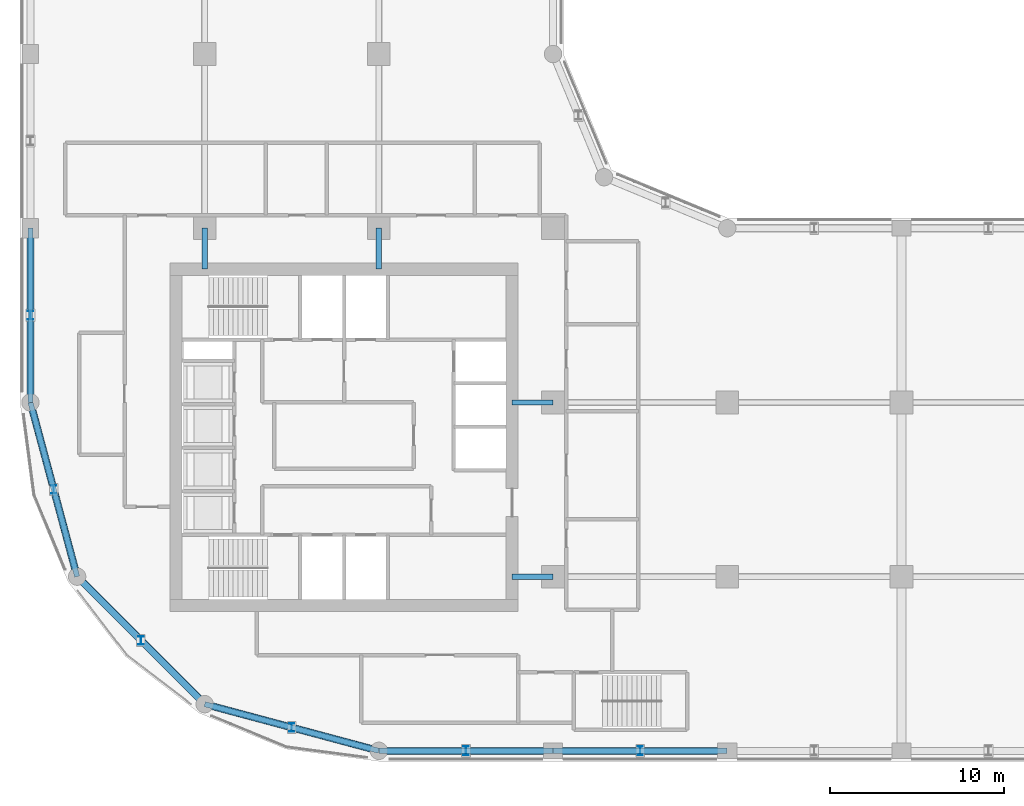
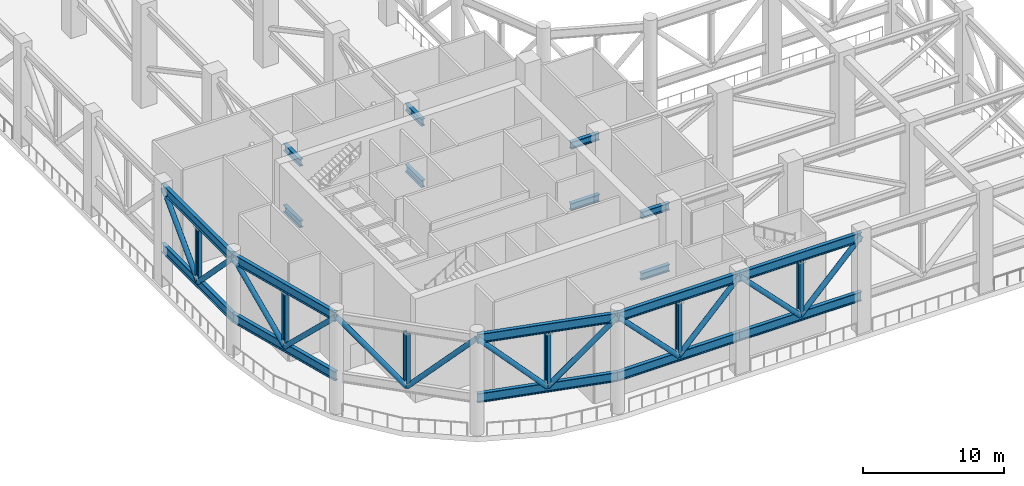
# One storey, part 2 of 13: 36 members.
"""IFC4 building model written with IfcOpenShell, lengths in metres."""

from ifc_helpers import new_model, si_unit, direction, frame, origin, origin_2d, place, context, subcontext, project, spatial, hollow_circle, i_section, extrude, material, material_profile, profile_set, type_object, element, save


model = new_model("IFC4")

# Units and contexts
model_context = context("Model", 3, precision=1e-05, world=origin(), true_north=direction((0.0, 1.0)))
body_context = subcontext(model_context, "Body", "Model", "MODEL_VIEW")
ifc_project = project(units=[si_unit("LENGTHUNIT", "METRE"), si_unit("AREAUNIT", "SQUARE_METRE"), si_unit("VOLUMEUNIT", "CUBIC_METRE"), si_unit("PLANEANGLEUNIT", "RADIAN"), si_unit("MASSUNIT", "GRAM", prefix="KILO")], contexts=[model_context])

# Site, building, storey
site_placement = place(None, origin())
site = spatial("IfcSite", under=ifc_project, at=site_placement, CompositionType="ELEMENT")
building_placement = place(site_placement, origin())
building = spatial("IfcBuilding", under=site, at=building_placement, Name="Qaws Garden Tower", CompositionType="ELEMENT")
storey_placement = place(building_placement, frame((0.0, 0.0, 237.0)))
storey = spatial("IfcBuildingStorey", under=building, at=storey_placement, Name="L58", CompositionType="ELEMENT", Elevation=237.0)

# Members
ifc_material_1 = material(Name="Steel S355", Category="steel")
ifc_material_profile_1 = material_profile(ifc_material_1, i_section(OverallWidth=0.300048828125, OverallDepth=0.800048828125, WebThickness=0.017578125, FlangeThickness=0.032958984375, FilletRadius=0.030029296875, at=origin_2d()), Name="HEB 800")
ifc_profile_set_1 = profile_set([ifc_material_profile_1], Name="Steel S355")
member_type_1 = type_object("IfcMemberType", Name="Belt chord HEB 800", PredefinedType="CHORD", material=ifc_profile_set_1)
for number, where, z_axis, x_axis, name in (
    (1, (20.0, 0.0, 8.14990234375), (1.0, 0.0, 0.0), (0.0, 1.0, 0.0), "Belt truss top chord 1"),
    (2, (20.0, 0.0, 3.0), (1.0, 0.0, 0.0), (0.0, 1.0, 0.0), "Belt truss bottom chord 1"),
    (3, (30.0, 0.0, 8.14990234375), (1.0, 0.0, 0.0), (0.0, 1.0, 0.0), "Belt truss top chord 2"),
    (4, (30.0, 0.0, 3.0), (1.0, 0.0, 0.0), (0.0, 1.0, 0.0), "Belt truss bottom chord 2"),
    (5, (0.0, 30.0, 8.14990234375), (0.0, -1.0, 0.0), (1.0, 0.0, 0.0), "Belt truss top chord 21"),
    (6, (0.0, 30.0, 3.0), (0.0, -1.0, 0.0), (1.0, 0.0, 0.0), "Belt truss bottom chord 21"),
):
    element("IfcMember", number, at=place(storey_placement, frame(where, z_axis=z_axis, x_axis=x_axis)), inside=storey, type_object=member_type_1, Name=name, PredefinedType="CHORD", context=body_context, shape_type="SweptSolid", body=[
        extrude(i_section(OverallWidth=0.300048828125, OverallDepth=0.800048828125, WebThickness=0.017578125, FlangeThickness=0.032958984375, FilletRadius=0.030029296875, at=origin_2d()), origin(), (0.0, 0.0, 1.0), 10.0),
    ])
for number, where, z_axis, x_axis, name in (
    (7, (0.0, 20.0, 8.14990234375), (0.25881466832, -0.965926999034, 0.0), (0.965926999034, 0.25881466832, 0.0), "Belt truss top chord 22"),
    (8, (0.0, 20.0, 3.0), (0.25881466832, -0.965926999034, 0.0), (0.965926999034, 0.25881466832, 0.0), "Belt truss bottom chord 22"),
    (9, (10.0, 2.679443359375, 8.14990234375), (0.965926999034, -0.25881466832, 0.0), (0.25881466832, 0.965926999034, 0.0), "Belt truss top chord 24"),
    (10, (10.0, 2.679443359375, 3.0), (0.965926999034, -0.25881466832, 0.0), (0.25881466832, 0.965926999034, 0.0), "Belt truss bottom chord 24"),
):
    element("IfcMember", number, at=place(storey_placement, frame(where, z_axis=z_axis, x_axis=x_axis)), inside=storey, type_object=member_type_1, Name=name, PredefinedType="CHORD", context=body_context, shape_type="SweptSolid", body=[
        extrude(i_section(OverallWidth=0.300048828125, OverallDepth=0.800048828125, WebThickness=0.017578125, FlangeThickness=0.032958984375, FilletRadius=0.030029296875, at=origin_2d()), origin(), (0.0, 0.0, 1.0), 10.352783203125),
    ])
ifc_material_2 = material(Name="Steel S355", Category="steel")
ifc_material_profile_2 = material_profile(ifc_material_2, hollow_circle(Radius=0.203125, WallThickness=0.02001953125, at=origin_2d()), Name="CHS 406.4x20")
ifc_profile_set_2 = profile_set([ifc_material_profile_2], Name="Steel S355")
member_type_2 = type_object("IfcMemberType", Name="Belt diagonal CHS 406.4x20", PredefinedType="BRACE", material=ifc_profile_set_2)
for number, where, z_axis, x_axis, name in (
    (11, (20.0, 0.0, 8.14990234375), (0.696587664797, 0.0, -0.717471689513), (0.0, 1.0, 0.0), "Belt truss diagonal 1a"),
    (12, (25.0, 0.0, 3.0), (0.696587664797, 0.0, 0.717471689513), (0.0, 1.0, 0.0), "Belt truss diagonal 1b"),
    (13, (30.0, 0.0, 8.14990234375), (0.696587664797, 0.0, -0.717471689513), (0.0, 1.0, 0.0), "Belt truss diagonal 2a"),
    (14, (35.0, 0.0, 3.0), (0.696587664797, 0.0, 0.717471689513), (0.0, 1.0, 0.0), "Belt truss diagonal 2b"),
    (15, (0.0, 30.0, 8.14990234375), (0.0, -0.696587664797, -0.717471689513), (1.0, 0.0, 0.0), "Belt truss diagonal 21a"),
    (16, (0.0, 25.0, 3.0), (0.0, -0.696587664797, 0.717471689513), (1.0, 0.0, 0.0), "Belt truss diagonal 21b"),
):
    element("IfcMember", number, at=place(storey_placement, frame(where, z_axis=z_axis, x_axis=x_axis)), inside=storey, type_object=member_type_2, Name=name, PredefinedType="BRACE", context=body_context, shape_type="SweptSolid", body=[
        extrude(hollow_circle(Radius=0.203125, WallThickness=0.02001953125, at=origin_2d()), origin(), (0.0, 0.0, 1.0), 7.177734375),
    ])
for number, where, z_axis, x_axis, name in (
    (17, (0.0, 20.0, 8.14990234375), (0.183462009441, -0.684764343602, -0.705293899607), (0.965932894277, 0.258792665571, 0.0), "Belt truss diagonal 22a"),
    (18, (1.339599609375, 15.0, 3.0), (0.183494319511, -0.684760142783, 0.705289572845), (0.965921103361, 0.258836670666, 0.0), "Belt truss diagonal 22b"),
    (19, (2.679443359375, 10.0, 8.14990234375), (0.501298819176, -0.501265383651, -0.705288954292), (0.707083198776, 0.70713036281, 0.0), "Belt truss diagonal 23a"),
    (20, (6.33984375, 6.33984375, 3.0), (0.501265383651, -0.501298819176, 0.705288954292), (0.70713036281, 0.707083198776, 0.0), "Belt truss diagonal 23b"),
    (21, (10.0, 2.679443359375, 8.14990234375), (0.684760142783, -0.183494319511, -0.705289572845), (0.258836670666, 0.965921103361, 0.0), "Belt truss diagonal 24a"),
    (22, (15.0, 1.339599609375, 3.0), (0.684764343602, -0.183462009441, 0.705293899607), (0.258792665571, 0.965932894277, 0.0), "Belt truss diagonal 24b"),
):
    element("IfcMember", number, at=place(storey_placement, frame(where, z_axis=z_axis, x_axis=x_axis)), inside=storey, type_object=member_type_2, Name=name, PredefinedType="BRACE", context=body_context, shape_type="SweptSolid", body=[
        extrude(hollow_circle(Radius=0.203125, WallThickness=0.02001953125, at=origin_2d()), origin(), (0.0, 0.0, 1.0), 7.3017578125),
    ])
ifc_material_3 = material(Name="Steel S355", Category="steel")
ifc_material_profile_3 = material_profile(ifc_material_3, i_section(OverallWidth=0.300048828125, OverallDepth=0.5, WebThickness=0.014404296875, FlangeThickness=0.028076171875, FilletRadius=0.027099609375, at=origin_2d()), Name="HEB 500")
ifc_profile_set_3 = profile_set([ifc_material_profile_3], Name="Steel S355")
member_type_3 = type_object("IfcMemberType", Name="Belt post HEB 500", PredefinedType="POST", material=ifc_profile_set_3)
member_1_placement = place(storey_placement, frame((25.0, 0.0, 3.39990234375), z_axis=(0.0, 0.0, 1.0), x_axis=(1.0, 0.0, 0.0)))
element("IfcMember", 23, at=member_1_placement, inside=storey, type_object=member_type_3, Name="Belt truss post 1", PredefinedType="POST", context=body_context, shape_type="SweptSolid", body=[
    extrude(i_section(OverallWidth=0.300048828125, OverallDepth=0.5, WebThickness=0.014404296875, FlangeThickness=0.028076171875, FilletRadius=0.027099609375, at=origin_2d()), origin(), (0.0, 0.0, 1.0), 4.35009765625),
])
member_2_placement = place(storey_placement, frame((35.0, 0.0, 3.39990234375), z_axis=(0.0, 0.0, 1.0), x_axis=(1.0, 0.0, 0.0)))
element("IfcMember", 24, at=member_2_placement, inside=storey, type_object=member_type_3, Name="Belt truss post 2", PredefinedType="POST", context=body_context, shape_type="SweptSolid", body=[
    extrude(i_section(OverallWidth=0.300048828125, OverallDepth=0.5, WebThickness=0.014404296875, FlangeThickness=0.028076171875, FilletRadius=0.027099609375, at=origin_2d()), origin(), (0.0, 0.0, 1.0), 4.35009765625),
])
member_3_placement = place(storey_placement, frame((0.0, 25.0, 3.39990234375), z_axis=(0.0, 0.0, 1.0), x_axis=(1.0, 0.0, 0.0)))
element("IfcMember", 25, at=member_3_placement, inside=storey, type_object=member_type_3, Name="Belt truss post 21", PredefinedType="POST", context=body_context, shape_type="SweptSolid", body=[
    extrude(i_section(OverallWidth=0.300048828125, OverallDepth=0.5, WebThickness=0.014404296875, FlangeThickness=0.028076171875, FilletRadius=0.027099609375, at=origin_2d()), origin(), (0.0, 0.0, 1.0), 4.35009765625),
])
member_4_placement = place(storey_placement, frame((1.339599609375, 15.0, 3.39990234375), z_axis=(0.0, 0.0, 1.0), x_axis=(1.0, 0.0, 0.0)))
element("IfcMember", 26, at=member_4_placement, inside=storey, type_object=member_type_3, Name="Belt truss post 22", PredefinedType="POST", context=body_context, shape_type="SweptSolid", body=[
    extrude(i_section(OverallWidth=0.300048828125, OverallDepth=0.5, WebThickness=0.014404296875, FlangeThickness=0.028076171875, FilletRadius=0.027099609375, at=origin_2d()), origin(), (0.0, 0.0, 1.0), 4.35009765625),
])
member_5_placement = place(storey_placement, frame((6.33984375, 6.33984375, 3.39990234375), z_axis=(0.0, 0.0, 1.0), x_axis=(1.0, 0.0, 0.0)))
element("IfcMember", 27, at=member_5_placement, inside=storey, type_object=member_type_3, Name="Belt truss post 23", PredefinedType="POST", context=body_context, shape_type="SweptSolid", body=[
    extrude(i_section(OverallWidth=0.300048828125, OverallDepth=0.5, WebThickness=0.014404296875, FlangeThickness=0.028076171875, FilletRadius=0.027099609375, at=origin_2d()), origin(), (0.0, 0.0, 1.0), 4.35009765625),
])
member_6_placement = place(storey_placement, frame((15.0, 1.339599609375, 3.39990234375), z_axis=(0.0, 0.0, 1.0), x_axis=(1.0, 0.0, 0.0)))
element("IfcMember", 28, at=member_6_placement, inside=storey, type_object=member_type_3, Name="Belt truss post 24", PredefinedType="POST", context=body_context, shape_type="SweptSolid", body=[
    extrude(i_section(OverallWidth=0.300048828125, OverallDepth=0.5, WebThickness=0.014404296875, FlangeThickness=0.028076171875, FilletRadius=0.027099609375, at=origin_2d()), origin(), (0.0, 0.0, 1.0), 4.35009765625),
])
ifc_material_4 = material(Name="Steel S355", Category="steel")
ifc_material_profile_4 = material_profile(ifc_material_4, i_section(OverallWidth=0.304931640625, OverallDepth=0.6201171875, WebThickness=0.02099609375, FlangeThickness=0.0400390625, FilletRadius=0.027099609375, at=origin_2d()), Name="HEM 600")
ifc_profile_set_4 = profile_set([ifc_material_profile_4], Name="Steel S355")
member_type_4 = type_object("IfcMemberType", Name="Outrigger chord HEM 600", PredefinedType="CHORD", material=ifc_profile_set_4)
for number, where, z_axis, x_axis, name in (
    (29, (27.64990234375, 10.0, 8.239990234375), (1.0, 0.0, 0.0), (0.0, 1.0, 0.0), "Outrigger 1 top chord 1"),
    (30, (27.64990234375, 10.0, 2.909912109375), (1.0, 0.0, 0.0), (0.0, 1.0, 0.0), "Outrigger 1 bottom chord 1"),
    (31, (27.64990234375, 20.0, 8.239990234375), (1.0, 0.0, 0.0), (0.0, 1.0, 0.0), "Outrigger 2 top chord 1"),
    (32, (27.64990234375, 20.0, 2.909912109375), (1.0, 0.0, 0.0), (0.0, 1.0, 0.0), "Outrigger 2 bottom chord 1"),
    (33, (10.0, 27.64990234375, 8.239990234375), (0.0, 1.0, 0.0), (-1.0, 0.0, 0.0), "Outrigger 3 top chord 1"),
    (34, (10.0, 27.64990234375, 2.909912109375), (0.0, 1.0, 0.0), (-1.0, 0.0, 0.0), "Outrigger 3 bottom chord 1"),
    (35, (20.0, 27.64990234375, 8.239990234375), (0.0, 1.0, 0.0), (-1.0, 0.0, 0.0), "Outrigger 4 top chord 1"),
    (36, (20.0, 27.64990234375, 2.909912109375), (0.0, 1.0, 0.0), (-1.0, 0.0, 0.0), "Outrigger 4 bottom chord 1"),
):
    element("IfcMember", number, at=place(storey_placement, frame(where, z_axis=z_axis, x_axis=x_axis)), inside=storey, type_object=member_type_4, Name=name, PredefinedType="CHORD", context=body_context, shape_type="SweptSolid", body=[
        extrude(i_section(OverallWidth=0.304931640625, OverallDepth=0.6201171875, WebThickness=0.02099609375, FlangeThickness=0.0400390625, FilletRadius=0.027099609375, at=origin_2d()), origin(), (0.0, 0.0, 1.0), 2.35009765625),
    ])

save(model, "model.ifc")
